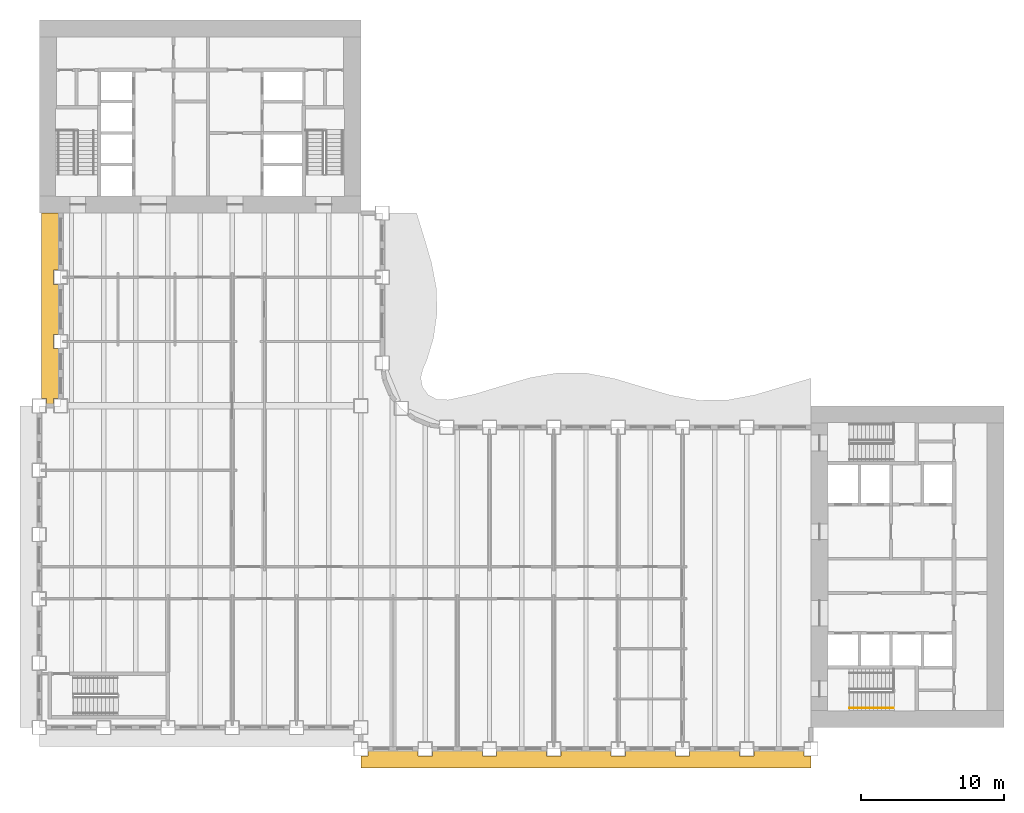
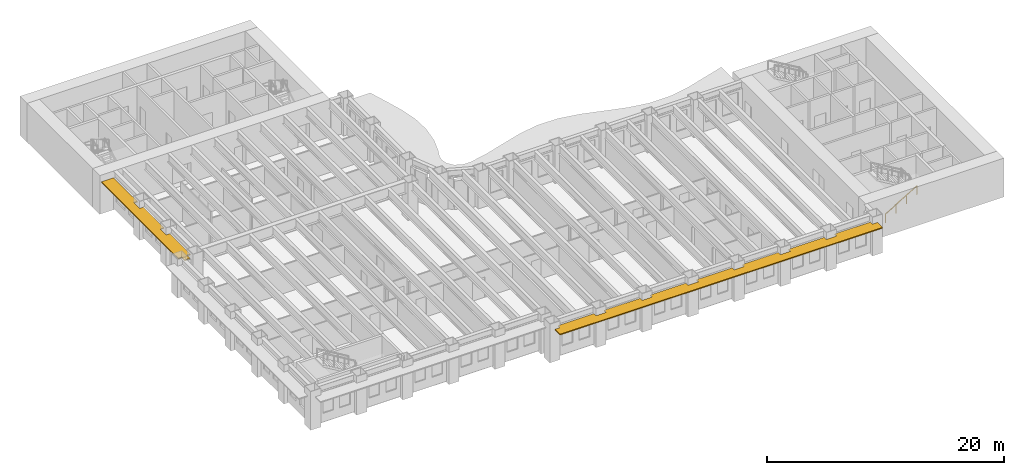
# One storey, part 12 of 16: 2 shading devices, 1 railing.
"""IFC4 building model written with IfcOpenShell, lengths in metres."""

from ifc_helpers import new_model, si_unit, direction, frame, origin, origin_2d, place, context, subcontext, project, spatial, polyline, rectangle, outline, extrude, material, layer, layer_set, type_object, element, save


model = new_model("IFC4")

# Units and contexts
model_context = context("Model", 3, precision=1e-05, world=origin(), true_north=direction((0.0, 1.0)))
body_context = subcontext(model_context, "Body", "Model", "MODEL_VIEW")
ifc_project = project(units=[si_unit("LENGTHUNIT", "METRE"), si_unit("AREAUNIT", "SQUARE_METRE"), si_unit("VOLUMEUNIT", "CUBIC_METRE"), si_unit("PLANEANGLEUNIT", "RADIAN"), si_unit("MASSUNIT", "GRAM", prefix="KILO")], contexts=[model_context])

# Site, building, storey
site_placement = place(None, origin())
site = spatial("IfcSite", under=ifc_project, at=site_placement, CompositionType="ELEMENT")
building_placement = place(site_placement, origin())
building = spatial("IfcBuilding", under=site, at=building_placement, Name="Sennacour Bend Tower", CompositionType="ELEMENT")
storey_placement = place(building_placement, frame((0.0, 0.0, 119.0)))
storey = spatial("IfcBuildingStorey", under=building, at=storey_placement, Name="L27", CompositionType="ELEMENT", Elevation=119.0)

# Railing
ifc_material_1 = material(Name="Stainless steel", Category="steel")
railing_type = type_object("IfcRailingType", Name="RL-HANDRAIL-900", PredefinedType="HANDRAIL", material=ifc_material_1)
railing_placement = place(storey_placement, frame((56.699951171875, 1.35009765625, 0.166748046875)))
element("IfcRailing", 1, at=railing_placement, inside=storey, type_object=railing_type, Name="L27 SA1 stair handrail 1", PredefinedType="HANDRAIL", context=body_context, shape_type="SweptSolid", body=[
    extrude(rectangle(XDim=0.048095703125, YDim=0.048095703125, at=origin_2d()), frame((0.0, 0.0, 0.8759765625), z_axis=(0.859308565015, 0.0, 0.511457515432), x_axis=(0.0, 1.0, 0.0)), (0.0, 0.0, 1.0), 3.58447265625),
    extrude(rectangle(XDim=0.0419921875, YDim=0.0419921875, at=origin_2d()), origin(), (0.0, 0.0, 1.0), 0.851806640625),
    extrude(rectangle(XDim=0.0419921875, YDim=0.0419921875, at=origin_2d()), frame((1.026611328125, 0.0, 0.611083984375)), (0.0, 0.0, 1.0), 0.851806640625),
    extrude(rectangle(XDim=0.0419921875, YDim=0.0419921875, at=origin_2d()), frame((2.053466796875, 0.0, 1.22216796875)), (0.0, 0.0, 1.0), 0.851806640625),
    extrude(rectangle(XDim=0.0419921875, YDim=0.0419921875, at=origin_2d()), frame((3.080078125, 0.0, 1.833251953125)), (0.0, 0.0, 1.0), 0.851806640625),
])

# Shading devices
ifc_material_2 = material(Name="Bronze anodised aluminium", Category="aluminium")
ifc_layer = layer(ifc_material_2, 0.10009765625, Name="Bronze anodised aluminium", Category="aluminium")
ifc_layer_set = layer_set([ifc_layer], Name="Bronze anodised aluminium")
shading_device_type = type_object("IfcShadingDeviceType", Name="SUNSHADE BAND STRAIGHT", PredefinedType="USERDEFINED", material=ifc_layer_set)
shading_device_1_placement = place(storey_placement, frame((0.0, 0.0, 3.053955078125)))
element("IfcShadingDevice", 2, at=shading_device_1_placement, inside=storey, type_object=shading_device_type, Name="Sunshade band L27 A outer face", ObjectType="SUNSHADE", PredefinedType="USERDEFINED", context=body_context, shape_type="SweptSolid", body=[
    extrude(outline(polyline([(26.5, -1.64990234375), (26.5, -2.0), (27.5, -2.0), (27.5, -1.64990234375), (31.0, -1.64990234375), (31.0, -2.0), (32.0, -2.0), (32.0, -1.64990234375), (35.5, -1.64990234375), (35.5, -2.0), (36.5, -2.0), (36.5, -1.64990234375), (40.0, -1.64990234375), (40.0, -2.0), (41.0, -2.0), (41.0, -1.64990234375), (44.5, -1.64990234375), (44.5, -2.0), (45.5, -2.0), (45.5, -1.64990234375), (49.0, -1.64990234375), (49.0, -2.0), (50.0, -2.0), (50.0, -1.64990234375), (53.5, -1.64990234375), (53.5, -2.0), (54.0, -2.0), (54.0, -2.85009765625), (22.5, -2.85009765625), (22.5, -2.0), (23.0, -2.0), (23.0, -1.64990234375), (26.5, -1.64990234375)])), origin(), (0.0, 0.0, 1.0), 0.10009765625),
])
shading_device_2_placement = place(storey_placement, frame((0.0, 0.0, 3.053955078125)))
element("IfcShadingDevice", 3, at=shading_device_2_placement, inside=storey, type_object=shading_device_type, Name="Sunshade band L27 B outer face", ObjectType="SUNSHADE", PredefinedType="USERDEFINED", context=body_context, shape_type="SweptSolid", body=[
    extrude(outline(polyline([(1.35009765625, 32.0), (1.0, 32.0), (1.0, 31.0), (1.35009765625, 31.0), (1.35009765625, 27.5), (1.0, 27.5), (1.0, 26.5), (1.35009765625, 26.5), (1.35009765625, 23.0), (1.0, 23.0), (1.0, 22.5), (0.5, 22.5), (0.5, 23.0), (0.14990234375, 23.0), (0.14990234375, 36.0), (1.35009765625, 36.0), (1.35009765625, 32.0)])), origin(), (0.0, 0.0, 1.0), 0.10009765625),
])

save(model, "model.ifc")
